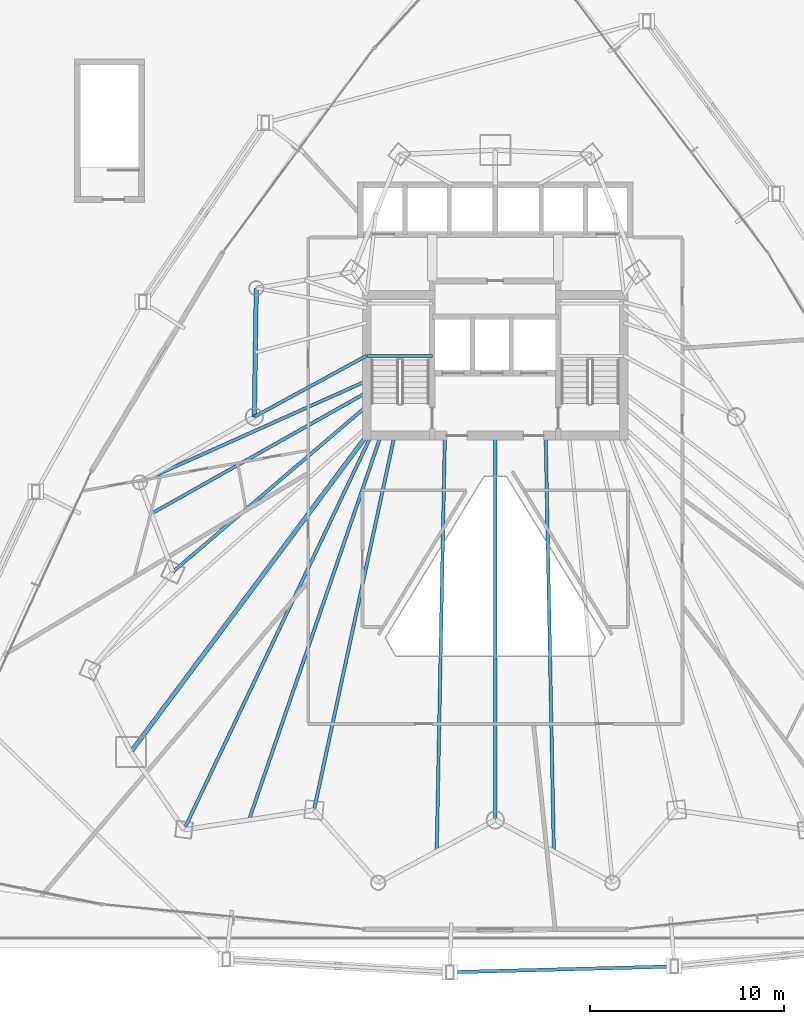
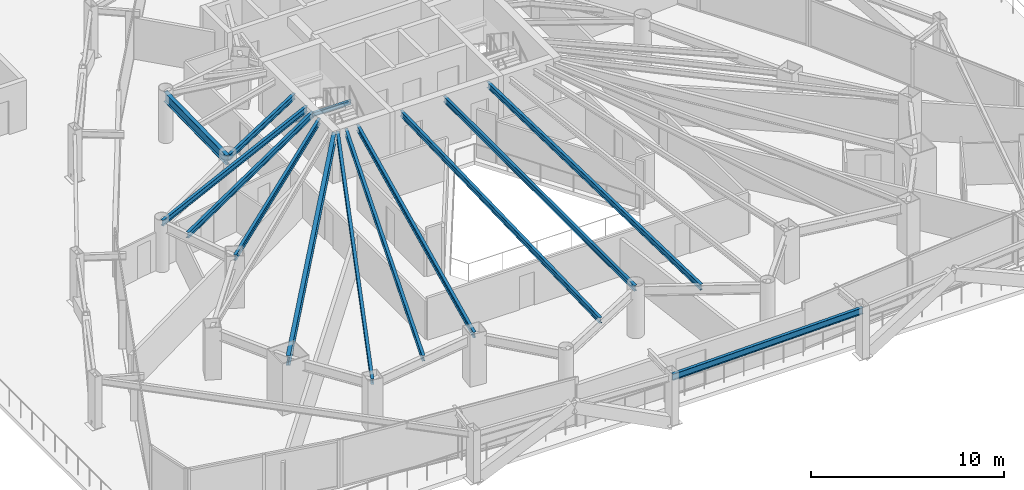
# One storey, part 11 of 36: 14 beams.
"""IFC4 building model written with IfcOpenShell, lengths in metres."""

from ifc_helpers import new_model, si_unit, direction, frame, origin, origin_2d, place, context, subcontext, project, spatial, i_section, extrude, material, material_profile, profile_set, type_object, element, save


model = new_model("IFC4")

# Units and contexts
model_context = context("Model", 3, precision=1e-05, world=origin(), true_north=direction((0.0, 1.0)))
body_context = subcontext(model_context, "Body", "Model", "MODEL_VIEW")
ifc_project = project(units=[si_unit("LENGTHUNIT", "METRE"), si_unit("AREAUNIT", "SQUARE_METRE"), si_unit("VOLUMEUNIT", "CUBIC_METRE"), si_unit("PLANEANGLEUNIT", "RADIAN"), si_unit("MASSUNIT", "GRAM", prefix="KILO")], contexts=[model_context])

# Site, building, storey
site_placement = place(None, origin())
site = spatial("IfcSite", under=ifc_project, at=site_placement, CompositionType="ELEMENT")
building_placement = place(site_placement, origin())
building = spatial("IfcBuilding", under=site, at=building_placement, Name="Orvanel Arch Residences", CompositionType="ELEMENT")
storey_placement = place(building_placement, frame((0.0, 0.0, 23.60009765625)))
storey = spatial("IfcBuildingStorey", under=building, at=storey_placement, Name="L05", CompositionType="ELEMENT", Elevation=23.60009765625)

# Beams
ifc_material = material(Name="Structural steel AS/NZS 3679.1 Grade 300 (300 MPa)", Category="steel")
ifc_material_profile_1 = material_profile(ifc_material, i_section(OverallWidth=0.22900390625, OverallDepth=0.612060546875, WebThickness=0.011962890625, FlangeThickness=0.01953125, at=origin_2d()), Name="610UB125")
ifc_profile_set_1 = profile_set([ifc_material_profile_1], Name="Structural steel AS/NZS 3679.1 Grade 300 (300 MPa)")
beam_type_1 = type_object("IfcBeamType", Name="BG-610UB", PredefinedType="BEAM", material=ifc_profile_set_1)
beam_1_placement = place(storey_placement, frame((26.375, 26.675048828125, 2.75390625), z_axis=(-0.597893733742, -0.801575375839, 0.0), x_axis=(0.801575375839, -0.597893733742, 0.0)))
element("IfcBeam", 1, at=beam_1_placement, inside=storey, type_object=beam_type_1, Name="L05 South-West Radial Girder", PredefinedType="BEAM", context=body_context, shape_type="SweptSolid", body=[
    extrude(i_section(OverallWidth=0.22900390625, OverallDepth=0.612060546875, WebThickness=0.011962890625, FlangeThickness=0.01953125, at=origin_2d()), origin(), (0.0, 0.0, 1.0), 20.36474609375),
])
ifc_material_profile_2 = material_profile(ifc_material, i_section(OverallWidth=0.14599609375, OverallDepth=0.251953125, WebThickness=0.006103515625, FlangeThickness=0.008544921875, at=origin_2d()), Name="250UB31.4")
ifc_profile_set_2 = profile_set([ifc_material_profile_2], Name="Structural steel AS/NZS 3679.1 Grade 300 (300 MPa)")
beam_type_2 = type_object("IfcBeamType", Name="BJ-250UB", PredefinedType="JOIST", material=ifc_profile_set_2)
beam_2_placement = place(storey_placement, frame((26.39990234375, 30.780029296875, 1.323974609375), z_axis=(1.0, 0.0, 0.0), x_axis=(0.0, 1.0, 0.0)))
element("IfcBeam", 2, at=beam_2_placement, inside=storey, type_object=beam_type_2, Name="L05 ST-1 Half-Landing Support Beam 1.1", PredefinedType="JOIST", context=body_context, shape_type="SweptSolid", body=[
    extrude(i_section(OverallWidth=0.14599609375, OverallDepth=0.251953125, WebThickness=0.006103515625, FlangeThickness=0.008544921875, at=origin_2d()), origin(), (0.0, 0.0, 1.0), 3.35009765625),
])
ifc_material_profile_3 = material_profile(ifc_material, i_section(OverallWidth=0.1708984375, OverallDepth=0.35595703125, WebThickness=0.00732421875, FlangeThickness=0.011474609375, at=origin_2d()), Name="360UB50.7")
ifc_profile_set_3 = profile_set([ifc_material_profile_3], Name="Structural steel AS/NZS 3679.1 Grade 300 (300 MPa)")
beam_type_3 = type_object("IfcBeamType", Name="BJ-360UB", PredefinedType="JOIST", material=ifc_profile_set_3)
beam_3_placement = place(storey_placement, frame((26.375, 30.800048828125, 2.8818359375), z_axis=(-0.878399029914, -0.477927969726, 0.0), x_axis=(0.477927969726, -0.878399029914, 0.0)))
element("IfcBeam", 3, at=beam_3_placement, inside=storey, type_object=beam_type_3, Name="L05 NW Wing Floor Joist", PredefinedType="JOIST", context=body_context, shape_type="SweptSolid", body=[
    extrude(i_section(OverallWidth=0.1708984375, OverallDepth=0.35595703125, WebThickness=0.00732421875, FlangeThickness=0.011474609375, at=origin_2d()), origin(), (0.0, 0.0, 1.0), 6.609619140625),
])
beam_4_placement = place(storey_placement, frame((26.375, 28.199951171875, 2.8818359375), z_axis=(-0.760024297953, -0.649894658018, 0.0), x_axis=(0.649894658018, -0.760024297953, 0.0)))
element("IfcBeam", 4, at=beam_4_placement, inside=storey, type_object=beam_type_3, Name="L05 W Wing Floor Joist", PredefinedType="JOIST", context=body_context, shape_type="SweptSolid", body=[
    extrude(i_section(OverallWidth=0.1708984375, OverallDepth=0.35595703125, WebThickness=0.00732421875, FlangeThickness=0.011474609375, at=origin_2d()), origin(), (0.0, 0.0, 1.0), 13.16796875),
])
beam_5_placement = place(storey_placement, frame((27.800048828125, 26.675048828125, 2.8818359375), z_axis=(-0.210066515515, -0.977687096703, 0.0), x_axis=(0.977687096703, -0.210066515515, 0.0)))
element("IfcBeam", 5, at=beam_5_placement, inside=storey, type_object=beam_type_3, Name="L05 SW Wing Floor Joist", PredefinedType="JOIST", context=body_context, shape_type="SweptSolid", body=[
    extrude(i_section(OverallWidth=0.1708984375, OverallDepth=0.35595703125, WebThickness=0.00732421875, FlangeThickness=0.011474609375, at=origin_2d()), origin(), (0.0, 0.0, 1.0), 19.760986328125),
])
beam_6_placement = place(storey_placement, frame((33.0, 26.675048828125, 2.8818359375), z_axis=(0.0, -1.0, 0.0), x_axis=(1.0, 0.0, 0.0)))
element("IfcBeam", 6, at=beam_6_placement, inside=storey, type_object=beam_type_3, Name="L05 SSW Wing Floor Joist", PredefinedType="JOIST", context=body_context, shape_type="SweptSolid", body=[
    extrude(i_section(OverallWidth=0.1708984375, OverallDepth=0.35595703125, WebThickness=0.00732421875, FlangeThickness=0.011474609375, at=origin_2d()), origin(), (0.0, 0.0, 1.0), 19.8310546875),
])
for number, where, z_axis, x_axis, name in (
    (7, (30.39990234375, 26.675048828125, 2.8818359375), (-0.019617680075, -0.999807554797, 0.0), (0.999807554797, -0.019617680075, 0.0), "L05 WSW2 Wing Floor Joist"),
    (8, (35.60009765625, 26.675048828125, 2.8818359375), (0.019617680075, -0.999807554797, 0.0), (0.999807554797, 0.019617680075, 0.0), "L05 ESE2 Wing Floor Joist"),
):
    element("IfcBeam", number, at=place(storey_placement, frame(where, z_axis=z_axis, x_axis=x_axis)), inside=storey, type_object=beam_type_3, Name=name, PredefinedType="JOIST", context=body_context, shape_type="SweptSolid", body=[
        extrude(i_section(OverallWidth=0.1708984375, OverallDepth=0.35595703125, WebThickness=0.00732421875, FlangeThickness=0.011474609375, at=origin_2d()), origin(), (0.0, 0.0, 1.0), 21.455078125),
    ])
beam_7_placement = place(storey_placement, frame((26.60009765625, 26.675048828125, 2.8818359375), z_axis=(-0.429042657795, -0.903284228686, 0.0), x_axis=(0.903284228686, -0.429042657795, 0.0)))
element("IfcBeam", 9, at=beam_7_placement, inside=storey, type_object=beam_type_3, Name="L05 MSW Wing Floor Joist", PredefinedType="JOIST", context=body_context, shape_type="SweptSolid", body=[
    extrude(i_section(OverallWidth=0.1708984375, OverallDepth=0.35595703125, WebThickness=0.00732421875, FlangeThickness=0.011474609375, at=origin_2d()), origin(), (0.0, 0.0, 1.0), 22.513427734375),
])
beam_8_placement = place(storey_placement, frame((26.375, 29.5, 2.8818359375), z_axis=(-0.912704378681, -0.408620505038, 0.0), x_axis=(0.408620505038, -0.912704378681, 0.0)))
element("IfcBeam", 10, at=beam_8_placement, inside=storey, type_object=beam_type_3, Name="L05 LSW Wing Floor Joist", PredefinedType="JOIST", context=body_context, shape_type="SweptSolid", body=[
    extrude(i_section(OverallWidth=0.1708984375, OverallDepth=0.35595703125, WebThickness=0.00732421875, FlangeThickness=0.011474609375, at=origin_2d()), origin(), (0.0, 0.0, 1.0), 12.833251953125),
])
beam_9_placement = place(storey_placement, frame((26.375, 28.89990234375, 2.8818359375), z_axis=(-0.871372554181, -0.490621923502, 0.0), x_axis=(0.490621923502, -0.871372554181, 0.0)))
element("IfcBeam", 11, at=beam_9_placement, inside=storey, type_object=beam_type_3, Name="L05 CTW Wing Floor Joist", PredefinedType="JOIST", context=body_context, shape_type="SweptSolid", body=[
    extrude(i_section(OverallWidth=0.1708984375, OverallDepth=0.35595703125, WebThickness=0.00732421875, FlangeThickness=0.011474609375, at=origin_2d()), origin(), (0.0, 0.0, 1.0), 12.7568359375),
])
beam_10_placement = place(storey_placement, frame((27.10009765625, 26.675048828125, 2.8818359375), z_axis=(-0.324621456495, -0.945844019901, 0.0), x_axis=(0.945844019901, -0.324621456495, 0.0)))
element("IfcBeam", 12, at=beam_10_placement, inside=storey, type_object=beam_type_3, Name="L05 JADD1 Wing Floor Joist", PredefinedType="JOIST", context=body_context, shape_type="SweptSolid", body=[
    extrude(i_section(OverallWidth=0.1708984375, OverallDepth=0.35595703125, WebThickness=0.00732421875, FlangeThickness=0.011474609375, at=origin_2d()), origin(), (0.0, 0.0, 1.0), 20.96337890625),
])
ifc_material_profile_4 = material_profile(ifc_material, i_section(OverallWidth=0.177978515625, OverallDepth=0.406005859375, WebThickness=0.0078125, FlangeThickness=0.0126953125, at=origin_2d()), Name="410UB59.7")
ifc_profile_set_4 = profile_set([ifc_material_profile_4], Name="Structural steel AS/NZS 3679.1 Grade 300 (300 MPa)")
beam_type_4 = type_object("IfcBeamType", Name="OB-410UB-EXT", PredefinedType="SPANDREL", material=ifc_profile_set_4)
beam_11_placement = place(storey_placement, frame((30.658935546875, -1.013916015625, 2.85693359375), z_axis=(0.999665030236, 0.025881022456, 0.0), x_axis=(-0.025881022456, 0.999665030236, 0.0)))
element("IfcBeam", 13, at=beam_11_placement, inside=storey, type_object=beam_type_4, Name="L05 Outer Perimeter Floor Ring Beam 06", PredefinedType="SPANDREL", context=body_context, shape_type="SweptSolid", body=[
    extrude(i_section(OverallWidth=0.177978515625, OverallDepth=0.406005859375, WebThickness=0.0078125, FlangeThickness=0.0126953125, at=origin_2d()), origin(), (0.0, 0.0, 1.0), 11.583984375),
])
ifc_material_profile_5 = material_profile(ifc_material, i_section(OverallWidth=0.22900390625, OverallDepth=0.612060546875, WebThickness=0.011962890625, FlangeThickness=0.01953125, at=origin_2d()), Name="610UB125")
ifc_profile_set_5 = profile_set([ifc_material_profile_5], Name="Structural steel AS/NZS 3679.1 Grade 300 (300 MPa)")
beam_type_5 = type_object("IfcBeamType", Name="SP-610UB", PredefinedType="SPANDREL", material=ifc_profile_set_5)
beam_12_placement = place(storey_placement, frame((20.669921875, 34.27099609375, 2.75390625), z_axis=(-0.015206666874, -0.999884371956, 0.0), x_axis=(0.999884371956, -0.015206666874, 0.0)))
element("IfcBeam", 14, at=beam_12_placement, inside=storey, type_object=beam_type_5, Name="L05 Perimeter Spandrel Beam 20", PredefinedType="SPANDREL", context=body_context, shape_type="SweptSolid", body=[
    extrude(i_section(OverallWidth=0.22900390625, OverallDepth=0.612060546875, WebThickness=0.011962890625, FlangeThickness=0.01953125, at=origin_2d()), origin(), (0.0, 0.0, 1.0), 6.630615234375),
])

save(model, "model.ifc")
